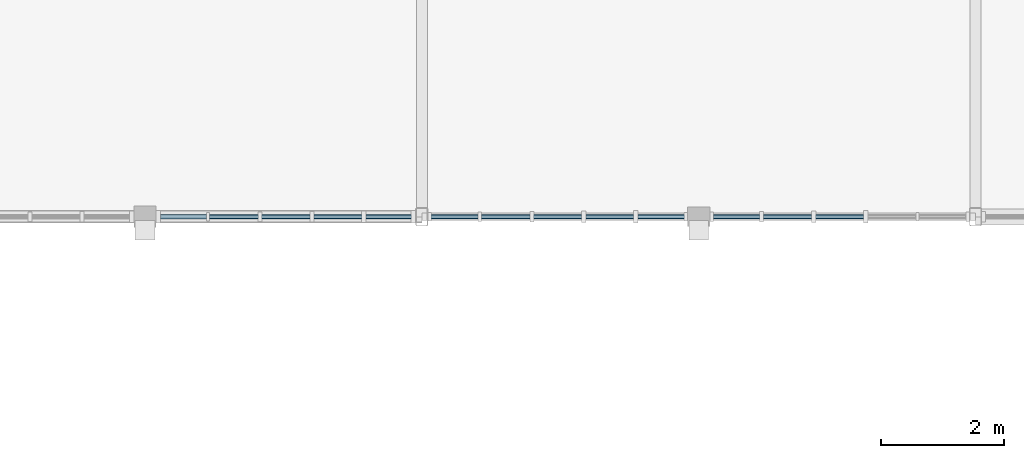
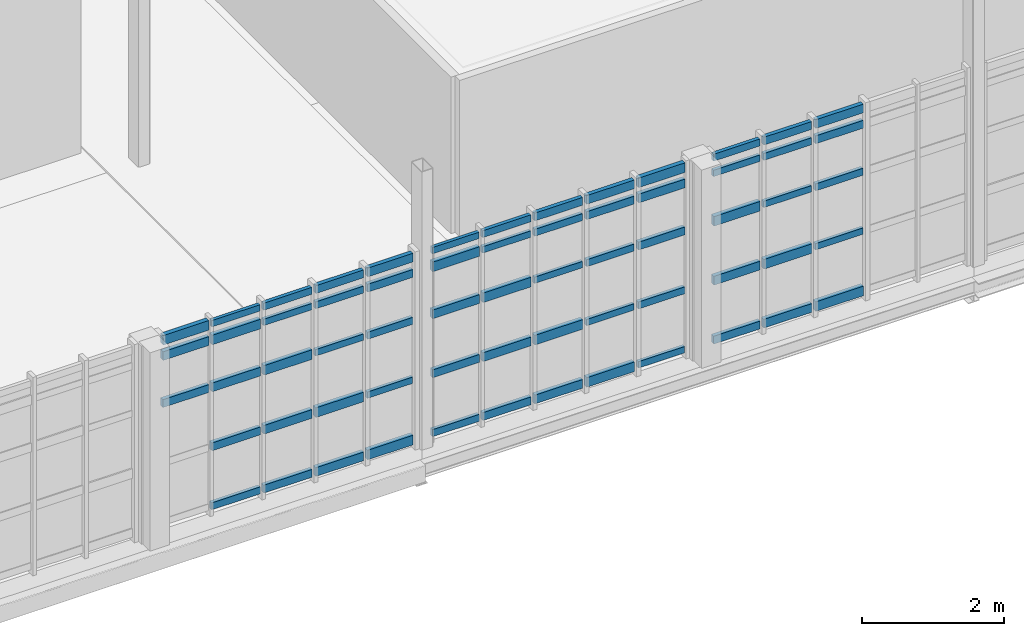
# One storey, part 70 of 128: 63 members, 3 elements without a shape of their own.
"""IFC4 building model written with IfcOpenShell, lengths in metres."""

from ifc_helpers import new_model, si_unit, direction, frame, origin, origin_2d, place, context, subcontext, project, spatial, rectangle, extrude, material, material_profile, profile_set, type_object, element, aggregate, save


model = new_model("IFC4")

# Units and contexts
model_context = context("Model", 3, precision=1e-05, world=origin(), true_north=direction((0.0, 1.0)))
body_context = subcontext(model_context, "Body", "Model", "MODEL_VIEW")
ifc_project = project(units=[si_unit("LENGTHUNIT", "METRE"), si_unit("AREAUNIT", "SQUARE_METRE"), si_unit("VOLUMEUNIT", "CUBIC_METRE"), si_unit("PLANEANGLEUNIT", "RADIAN"), si_unit("MASSUNIT", "GRAM", prefix="KILO")], contexts=[model_context])

# Site, building, storey
site_placement = place(None, origin())
site = spatial("IfcSite", under=ifc_project, at=site_placement, CompositionType="ELEMENT")
building_placement = place(site_placement, origin())
building = spatial("IfcBuilding", under=site, at=building_placement, Name="Serraforn Aerial Cableway Station", CompositionType="ELEMENT")
storey_placement = place(building_placement, frame((0.0, 0.0, 9.0)))
storey = spatial("IfcBuildingStorey", under=building, at=storey_placement, Name="L02", CompositionType="ELEMENT", Elevation=9.0)

# Curtain wall, members
ifc_material_1 = material(Name="Anodised bronze unitised curtain wall")
curtain_wall_type_1 = type_object("IfcCurtainWallType", Name="CW-SYS-24", PredefinedType="USERDEFINED", material=ifc_material_1)
curtain_wall_1_placement = place(storey_placement, origin())
curtain_wall_1 = element("IfcCurtainWall", 1, at=curtain_wall_1_placement, inside=storey, type_object=curtain_wall_type_1, Name="Unitised Curtain Wall CW-EL-L02-S1B", ObjectType="UNITISED CURTAIN WALL", PredefinedType="USERDEFINED")
ifc_material_2 = material(Name="Anodised bronze extruded aluminium", Category="aluminium")
ifc_material_profile_1 = material_profile(ifc_material_2, rectangle(XDim=0.054931640625, YDim=0.110107421875, at=origin_2d()), Name="CW TRANSOM 55x110")
ifc_profile_set_1 = profile_set([ifc_material_profile_1], Name="Anodised bronze extruded aluminium")
member_type_1 = type_object("IfcMemberType", Name="CW-TRN-1", PredefinedType="USERDEFINED", material=ifc_profile_set_1)
member_1_placement = place(storey_placement, frame((99.75, 26.0, 3.283203125), z_axis=(1.0, 0.0, 0.0), x_axis=(0.0, 1.0, 0.0)))
member_1 = element("IfcMember", 2, at=member_1_placement, type_object=member_type_1, Name="Curtain Wall Transom CW-EL-L02-S1B-T2-5", ObjectType="TRANSOM", PredefinedType="USERDEFINED", context=body_context, shape_type="SweptSolid", body=[
    extrude(rectangle(XDim=0.054931640625, YDim=0.110107421875, at=origin_2d()), origin(), (0.0, 0.0, 1.0), 0.790771484375),
])
member_2_placement = place(storey_placement, frame((100.5966796875, 26.0, 3.009521484375), z_axis=(1.0, 0.0, 0.0), x_axis=(0.0, 1.0, 0.0)))
member_2 = element("IfcMember", 3, at=member_2_placement, type_object=member_type_1, Name="Curtain Wall Transom CW-EL-L02-S1B-T3-4", ObjectType="TRANSOM", PredefinedType="USERDEFINED", context=body_context, shape_type="SweptSolid", body=[
    extrude(rectangle(XDim=0.054931640625, YDim=0.110107421875, at=origin_2d()), origin(), (0.0, 0.0, 1.0), 0.7861328125),
])
member_3_placement = place(storey_placement, frame((101.443603515625, 26.0, 2.188720703125), z_axis=(1.0, 0.0, 0.0), x_axis=(0.0, 1.0, 0.0)))
member_3 = element("IfcMember", 4, at=member_3_placement, type_object=member_type_1, Name="Curtain Wall Transom CW-EL-L02-S1B-T4-3", ObjectType="TRANSOM", PredefinedType="USERDEFINED", context=body_context, shape_type="SweptSolid", body=[
    extrude(rectangle(XDim=0.054931640625, YDim=0.110107421875, at=origin_2d()), origin(), (0.0, 0.0, 1.0), 0.781005859375),
])
member_4_placement = place(storey_placement, frame((102.29052734375, 26.0, 1.162841796875), z_axis=(1.0, 0.0, 0.0), x_axis=(0.0, 1.0, 0.0)))
member_4 = element("IfcMember", 5, at=member_4_placement, type_object=member_type_1, Name="Curtain Wall Transom CW-EL-L02-S1B-T5-2", ObjectType="TRANSOM", PredefinedType="USERDEFINED", context=body_context, shape_type="SweptSolid", body=[
    extrude(rectangle(XDim=0.054931640625, YDim=0.110107421875, at=origin_2d()), origin(), (0.0, 0.0, 1.0), 0.738525390625),
])

curtain_wall_type_2 = type_object("IfcCurtainWallType", Name="CW-SYS-25", PredefinedType="USERDEFINED", material=ifc_material_1)
curtain_wall_2_placement = place(storey_placement, origin())
curtain_wall_2 = element("IfcCurtainWall", 6, at=curtain_wall_2_placement, inside=storey, type_object=curtain_wall_type_2, Name="Unitised Curtain Wall CW-EL-L02-S2A", ObjectType="UNITISED CURTAIN WALL", PredefinedType="USERDEFINED")
member_5_placement = place(storey_placement, frame((103.35107421875, 26.0, 3.283203125), z_axis=(1.0, 0.0, 0.0), x_axis=(0.0, 1.0, 0.0)))
member_5 = element("IfcMember", 7, at=member_5_placement, type_object=member_type_1, Name="Curtain Wall Transom CW-EL-L02-S2A-T1-5", ObjectType="TRANSOM", PredefinedType="USERDEFINED", context=body_context, shape_type="SweptSolid", body=[
    extrude(rectangle(XDim=0.054931640625, YDim=0.110107421875, at=origin_2d()), origin(), (0.0, 0.0, 1.0), 0.763427734375),
])
member_6_placement = place(storey_placement, frame((104.17041015625, 26.0, 3.009521484375), z_axis=(1.0, 0.0, 0.0), x_axis=(0.0, 1.0, 0.0)))
member_6 = element("IfcMember", 8, at=member_6_placement, type_object=member_type_1, Name="Curtain Wall Transom CW-EL-L02-S2A-T2-4", ObjectType="TRANSOM", PredefinedType="USERDEFINED", context=body_context, shape_type="SweptSolid", body=[
    extrude(rectangle(XDim=0.054931640625, YDim=0.110107421875, at=origin_2d()), origin(), (0.0, 0.0, 1.0), 0.785888671875),
])
member_7_placement = place(storey_placement, frame((105.017333984375, 26.0, 2.188720703125), z_axis=(1.0, 0.0, 0.0), x_axis=(0.0, 1.0, 0.0)))
member_7 = element("IfcMember", 9, at=member_7_placement, type_object=member_type_1, Name="Curtain Wall Transom CW-EL-L02-S2A-T3-3", ObjectType="TRANSOM", PredefinedType="USERDEFINED", context=body_context, shape_type="SweptSolid", body=[
    extrude(rectangle(XDim=0.054931640625, YDim=0.110107421875, at=origin_2d()), origin(), (0.0, 0.0, 1.0), 0.78076171875),
])
member_8_placement = place(storey_placement, frame((105.8642578125, 26.0, 1.162841796875), z_axis=(1.0, 0.0, 0.0), x_axis=(0.0, 1.0, 0.0)))
member_8 = element("IfcMember", 10, at=member_8_placement, type_object=member_type_1, Name="Curtain Wall Transom CW-EL-L02-S2A-T4-2", ObjectType="TRANSOM", PredefinedType="USERDEFINED", context=body_context, shape_type="SweptSolid", body=[
    extrude(rectangle(XDim=0.054931640625, YDim=0.110107421875, at=origin_2d()), origin(), (0.0, 0.0, 1.0), 0.77587890625),
])
member_9_placement = place(storey_placement, frame((106.711181640625, 26.0, 0.13671875), z_axis=(1.0, 0.0, 0.0), x_axis=(0.0, 1.0, 0.0)))
member_9 = element("IfcMember", 11, at=member_9_placement, type_object=member_type_1, Name="Curtain Wall Transom CW-EL-L02-S2A-T5-1", ObjectType="TRANSOM", PredefinedType="USERDEFINED", context=body_context, shape_type="SweptSolid", body=[
    extrude(rectangle(XDim=0.054931640625, YDim=0.110107421875, at=origin_2d()), origin(), (0.0, 0.0, 1.0), 0.755859375),
])

curtain_wall_type_3 = type_object("IfcCurtainWallType", Name="CW-SYS-26", PredefinedType="USERDEFINED", material=ifc_material_1)
curtain_wall_3_placement = place(storey_placement, origin())
curtain_wall_3 = element("IfcCurtainWall", 12, at=curtain_wall_3_placement, inside=storey, type_object=curtain_wall_type_3, Name="Unitised Curtain Wall CW-EL-L02-S2B", ObjectType="UNITISED CURTAIN WALL", PredefinedType="USERDEFINED")
member_10_placement = place(storey_placement, frame((107.93798828125, 26.0, 3.009521484375), z_axis=(1.0, 0.0, 0.0), x_axis=(0.0, 1.0, 0.0)))
member_10 = element("IfcMember", 13, at=member_10_placement, type_object=member_type_1, Name="Curtain Wall Transom CW-EL-L02-S2B-T1-4", ObjectType="TRANSOM", PredefinedType="USERDEFINED", context=body_context, shape_type="SweptSolid", body=[
    extrude(rectangle(XDim=0.054931640625, YDim=0.110107421875, at=origin_2d()), origin(), (0.0, 0.0, 1.0), 0.755859375),
])
member_11_placement = place(storey_placement, frame((108.7548828125, 26.0, 2.188720703125), z_axis=(1.0, 0.0, 0.0), x_axis=(0.0, 1.0, 0.0)))
member_11 = element("IfcMember", 14, at=member_11_placement, type_object=member_type_1, Name="Curtain Wall Transom CW-EL-L02-S2B-T2-3", ObjectType="TRANSOM", PredefinedType="USERDEFINED", context=body_context, shape_type="SweptSolid", body=[
    extrude(rectangle(XDim=0.054931640625, YDim=0.110107421875, at=origin_2d()), origin(), (0.0, 0.0, 1.0), 0.781005859375),
])
member_12_placement = place(storey_placement, frame((109.601806640625, 26.0, 1.162841796875), z_axis=(1.0, 0.0, 0.0), x_axis=(0.0, 1.0, 0.0)))
member_12 = element("IfcMember", 15, at=member_12_placement, type_object=member_type_1, Name="Curtain Wall Transom CW-EL-L02-S2B-T3-2", ObjectType="TRANSOM", PredefinedType="USERDEFINED", context=body_context, shape_type="SweptSolid", body=[
    extrude(rectangle(XDim=0.054931640625, YDim=0.110107421875, at=origin_2d()), origin(), (0.0, 0.0, 1.0), 0.77587890625),
])

# Member
ifc_material_profile_2 = material_profile(ifc_material_2, rectangle(XDim=0.06005859375, YDim=0.1201171875, at=origin_2d()), Name="CW TRANSOM 60x120")
ifc_profile_set_2 = profile_set([ifc_material_profile_2], Name="Anodised bronze extruded aluminium")
member_type_2 = type_object("IfcMemberType", Name="CW-TRN-2", PredefinedType="USERDEFINED", material=ifc_profile_set_2)
member_13_placement = place(storey_placement, frame((99.75, 26.0, 0.13671875), z_axis=(1.0, 0.0, 0.0), x_axis=(0.0, 1.0, 0.0)))
member_13 = element("IfcMember", 16, at=member_13_placement, type_object=member_type_2, Name="Curtain Wall Transom CW-EL-L02-S1B-T2-1", ObjectType="TRANSOM", PredefinedType="USERDEFINED", context=body_context, shape_type="SweptSolid", body=[
    extrude(rectangle(XDim=0.06005859375, YDim=0.1201171875, at=origin_2d()), origin(), (0.0, 0.0, 1.0), 0.790771484375),
])

member_14_placement = place(storey_placement, frame((100.5966796875, 26.0, 3.283203125), z_axis=(1.0, 0.0, 0.0), x_axis=(0.0, 1.0, 0.0)))
member_14 = element("IfcMember", 17, at=member_14_placement, type_object=member_type_2, Name="Curtain Wall Transom CW-EL-L02-S1B-T3-5", ObjectType="TRANSOM", PredefinedType="USERDEFINED", context=body_context, shape_type="SweptSolid", body=[
    extrude(rectangle(XDim=0.06005859375, YDim=0.1201171875, at=origin_2d()), origin(), (0.0, 0.0, 1.0), 0.7861328125),
])

member_15_placement = place(storey_placement, frame((101.443603515625, 26.0, 3.009521484375), z_axis=(1.0, 0.0, 0.0), x_axis=(0.0, 1.0, 0.0)))
member_15 = element("IfcMember", 18, at=member_15_placement, type_object=member_type_2, Name="Curtain Wall Transom CW-EL-L02-S1B-T4-4", ObjectType="TRANSOM", PredefinedType="USERDEFINED", context=body_context, shape_type="SweptSolid", body=[
    extrude(rectangle(XDim=0.06005859375, YDim=0.1201171875, at=origin_2d()), origin(), (0.0, 0.0, 1.0), 0.781005859375),
])

member_16_placement = place(storey_placement, frame((102.29052734375, 26.0, 2.188720703125), z_axis=(1.0, 0.0, 0.0), x_axis=(0.0, 1.0, 0.0)))
member_16 = element("IfcMember", 19, at=member_16_placement, type_object=member_type_2, Name="Curtain Wall Transom CW-EL-L02-S1B-T5-3", ObjectType="TRANSOM", PredefinedType="USERDEFINED", context=body_context, shape_type="SweptSolid", body=[
    extrude(rectangle(XDim=0.06005859375, YDim=0.1201171875, at=origin_2d()), origin(), (0.0, 0.0, 1.0), 0.738525390625),
])

member_17_placement = place(storey_placement, frame((103.35107421875, 26.0, 0.13671875), z_axis=(1.0, 0.0, 0.0), x_axis=(0.0, 1.0, 0.0)))
member_17 = element("IfcMember", 20, at=member_17_placement, type_object=member_type_2, Name="Curtain Wall Transom CW-EL-L02-S2A-T1-1", ObjectType="TRANSOM", PredefinedType="USERDEFINED", context=body_context, shape_type="SweptSolid", body=[
    extrude(rectangle(XDim=0.06005859375, YDim=0.1201171875, at=origin_2d()), origin(), (0.0, 0.0, 1.0), 0.763427734375),
])

member_18_placement = place(storey_placement, frame((104.17041015625, 26.0, 3.283203125), z_axis=(1.0, 0.0, 0.0), x_axis=(0.0, 1.0, 0.0)))
member_18 = element("IfcMember", 21, at=member_18_placement, type_object=member_type_2, Name="Curtain Wall Transom CW-EL-L02-S2A-T2-5", ObjectType="TRANSOM", PredefinedType="USERDEFINED", context=body_context, shape_type="SweptSolid", body=[
    extrude(rectangle(XDim=0.06005859375, YDim=0.1201171875, at=origin_2d()), origin(), (0.0, 0.0, 1.0), 0.785888671875),
])

member_19_placement = place(storey_placement, frame((105.017333984375, 26.0, 3.009521484375), z_axis=(1.0, 0.0, 0.0), x_axis=(0.0, 1.0, 0.0)))
member_19 = element("IfcMember", 22, at=member_19_placement, type_object=member_type_2, Name="Curtain Wall Transom CW-EL-L02-S2A-T3-4", ObjectType="TRANSOM", PredefinedType="USERDEFINED", context=body_context, shape_type="SweptSolid", body=[
    extrude(rectangle(XDim=0.06005859375, YDim=0.1201171875, at=origin_2d()), origin(), (0.0, 0.0, 1.0), 0.78076171875),
])

member_20_placement = place(storey_placement, frame((105.8642578125, 26.0, 2.188720703125), z_axis=(1.0, 0.0, 0.0), x_axis=(0.0, 1.0, 0.0)))
member_20 = element("IfcMember", 23, at=member_20_placement, type_object=member_type_2, Name="Curtain Wall Transom CW-EL-L02-S2A-T4-3", ObjectType="TRANSOM", PredefinedType="USERDEFINED", context=body_context, shape_type="SweptSolid", body=[
    extrude(rectangle(XDim=0.06005859375, YDim=0.1201171875, at=origin_2d()), origin(), (0.0, 0.0, 1.0), 0.77587890625),
])

member_21_placement = place(storey_placement, frame((106.711181640625, 26.0, 1.162841796875), z_axis=(1.0, 0.0, 0.0), x_axis=(0.0, 1.0, 0.0)))
member_21 = element("IfcMember", 24, at=member_21_placement, type_object=member_type_2, Name="Curtain Wall Transom CW-EL-L02-S2A-T5-2", ObjectType="TRANSOM", PredefinedType="USERDEFINED", context=body_context, shape_type="SweptSolid", body=[
    extrude(rectangle(XDim=0.06005859375, YDim=0.1201171875, at=origin_2d()), origin(), (0.0, 0.0, 1.0), 0.755859375),
])

member_22_placement = place(storey_placement, frame((107.93798828125, 26.0, 3.283203125), z_axis=(1.0, 0.0, 0.0), x_axis=(0.0, 1.0, 0.0)))
member_22 = element("IfcMember", 25, at=member_22_placement, type_object=member_type_2, Name="Curtain Wall Transom CW-EL-L02-S2B-T1-5", ObjectType="TRANSOM", PredefinedType="USERDEFINED", context=body_context, shape_type="SweptSolid", body=[
    extrude(rectangle(XDim=0.06005859375, YDim=0.1201171875, at=origin_2d()), origin(), (0.0, 0.0, 1.0), 0.755859375),
])

member_23_placement = place(storey_placement, frame((108.7548828125, 26.0, 3.009521484375), z_axis=(1.0, 0.0, 0.0), x_axis=(0.0, 1.0, 0.0)))
member_23 = element("IfcMember", 26, at=member_23_placement, type_object=member_type_2, Name="Curtain Wall Transom CW-EL-L02-S2B-T2-4", ObjectType="TRANSOM", PredefinedType="USERDEFINED", context=body_context, shape_type="SweptSolid", body=[
    extrude(rectangle(XDim=0.06005859375, YDim=0.1201171875, at=origin_2d()), origin(), (0.0, 0.0, 1.0), 0.781005859375),
])

member_24_placement = place(storey_placement, frame((109.601806640625, 26.0, 2.188720703125), z_axis=(1.0, 0.0, 0.0), x_axis=(0.0, 1.0, 0.0)))
member_24 = element("IfcMember", 27, at=member_24_placement, type_object=member_type_2, Name="Curtain Wall Transom CW-EL-L02-S2B-T3-3", ObjectType="TRANSOM", PredefinedType="USERDEFINED", context=body_context, shape_type="SweptSolid", body=[
    extrude(rectangle(XDim=0.06005859375, YDim=0.1201171875, at=origin_2d()), origin(), (0.0, 0.0, 1.0), 0.77587890625),
])

ifc_material_profile_3 = material_profile(ifc_material_2, rectangle(XDim=0.06494140625, YDim=0.135009765625, at=origin_2d()), Name="CW TRANSOM 65x135")
ifc_profile_set_3 = profile_set([ifc_material_profile_3], Name="Anodised bronze extruded aluminium")
member_type_3 = type_object("IfcMemberType", Name="CW-TRN-3", PredefinedType="USERDEFINED", material=ifc_profile_set_3)
member_25_placement = place(storey_placement, frame((98.952880859375, 26.0, 2.188720703125), z_axis=(1.0, 0.0, 0.0), x_axis=(0.0, 1.0, 0.0)))
member_25 = element("IfcMember", 28, at=member_25_placement, type_object=member_type_3, Name="Curtain Wall Transom CW-EL-L02-S1B-T1-3", ObjectType="TRANSOM", PredefinedType="USERDEFINED", context=body_context, shape_type="SweptSolid", body=[
    extrude(rectangle(XDim=0.06494140625, YDim=0.135009765625, at=origin_2d()), origin(), (0.0, 0.0, 1.0), 0.74609375),
])

member_26_placement = place(storey_placement, frame((99.75, 26.0, 1.162841796875), z_axis=(1.0, 0.0, 0.0), x_axis=(0.0, 1.0, 0.0)))
member_26 = element("IfcMember", 29, at=member_26_placement, type_object=member_type_3, Name="Curtain Wall Transom CW-EL-L02-S1B-T2-2", ObjectType="TRANSOM", PredefinedType="USERDEFINED", context=body_context, shape_type="SweptSolid", body=[
    extrude(rectangle(XDim=0.06494140625, YDim=0.135009765625, at=origin_2d()), origin(), (0.0, 0.0, 1.0), 0.790771484375),
])

member_27_placement = place(storey_placement, frame((100.5966796875, 26.0, 0.13671875), z_axis=(1.0, 0.0, 0.0), x_axis=(0.0, 1.0, 0.0)))
member_27 = element("IfcMember", 30, at=member_27_placement, type_object=member_type_3, Name="Curtain Wall Transom CW-EL-L02-S1B-T3-1", ObjectType="TRANSOM", PredefinedType="USERDEFINED", context=body_context, shape_type="SweptSolid", body=[
    extrude(rectangle(XDim=0.06494140625, YDim=0.135009765625, at=origin_2d()), origin(), (0.0, 0.0, 1.0), 0.7861328125),
])

member_28_placement = place(storey_placement, frame((101.443603515625, 26.0, 3.283203125), z_axis=(1.0, 0.0, 0.0), x_axis=(0.0, 1.0, 0.0)))
member_28 = element("IfcMember", 31, at=member_28_placement, type_object=member_type_3, Name="Curtain Wall Transom CW-EL-L02-S1B-T4-5", ObjectType="TRANSOM", PredefinedType="USERDEFINED", context=body_context, shape_type="SweptSolid", body=[
    extrude(rectangle(XDim=0.06494140625, YDim=0.135009765625, at=origin_2d()), origin(), (0.0, 0.0, 1.0), 0.781005859375),
])

member_29_placement = place(storey_placement, frame((102.29052734375, 26.0, 3.009521484375), z_axis=(1.0, 0.0, 0.0), x_axis=(0.0, 1.0, 0.0)))
member_29 = element("IfcMember", 32, at=member_29_placement, type_object=member_type_3, Name="Curtain Wall Transom CW-EL-L02-S1B-T5-4", ObjectType="TRANSOM", PredefinedType="USERDEFINED", context=body_context, shape_type="SweptSolid", body=[
    extrude(rectangle(XDim=0.06494140625, YDim=0.135009765625, at=origin_2d()), origin(), (0.0, 0.0, 1.0), 0.738525390625),
])

member_30_placement = place(storey_placement, frame((103.35107421875, 26.0, 1.162841796875), z_axis=(1.0, 0.0, 0.0), x_axis=(0.0, 1.0, 0.0)))
member_30 = element("IfcMember", 33, at=member_30_placement, type_object=member_type_3, Name="Curtain Wall Transom CW-EL-L02-S2A-T1-2", ObjectType="TRANSOM", PredefinedType="USERDEFINED", context=body_context, shape_type="SweptSolid", body=[
    extrude(rectangle(XDim=0.06494140625, YDim=0.135009765625, at=origin_2d()), origin(), (0.0, 0.0, 1.0), 0.763427734375),
])

member_31_placement = place(storey_placement, frame((104.17041015625, 26.0, 0.13671875), z_axis=(1.0, 0.0, 0.0), x_axis=(0.0, 1.0, 0.0)))
member_31 = element("IfcMember", 34, at=member_31_placement, type_object=member_type_3, Name="Curtain Wall Transom CW-EL-L02-S2A-T2-1", ObjectType="TRANSOM", PredefinedType="USERDEFINED", context=body_context, shape_type="SweptSolid", body=[
    extrude(rectangle(XDim=0.06494140625, YDim=0.135009765625, at=origin_2d()), origin(), (0.0, 0.0, 1.0), 0.785888671875),
])

member_32_placement = place(storey_placement, frame((105.017333984375, 26.0, 3.283203125), z_axis=(1.0, 0.0, 0.0), x_axis=(0.0, 1.0, 0.0)))
member_32 = element("IfcMember", 35, at=member_32_placement, type_object=member_type_3, Name="Curtain Wall Transom CW-EL-L02-S2A-T3-5", ObjectType="TRANSOM", PredefinedType="USERDEFINED", context=body_context, shape_type="SweptSolid", body=[
    extrude(rectangle(XDim=0.06494140625, YDim=0.135009765625, at=origin_2d()), origin(), (0.0, 0.0, 1.0), 0.78076171875),
])

member_33_placement = place(storey_placement, frame((105.8642578125, 26.0, 3.009521484375), z_axis=(1.0, 0.0, 0.0), x_axis=(0.0, 1.0, 0.0)))
member_33 = element("IfcMember", 36, at=member_33_placement, type_object=member_type_3, Name="Curtain Wall Transom CW-EL-L02-S2A-T4-4", ObjectType="TRANSOM", PredefinedType="USERDEFINED", context=body_context, shape_type="SweptSolid", body=[
    extrude(rectangle(XDim=0.06494140625, YDim=0.135009765625, at=origin_2d()), origin(), (0.0, 0.0, 1.0), 0.77587890625),
])

member_34_placement = place(storey_placement, frame((106.711181640625, 26.0, 2.188720703125), z_axis=(1.0, 0.0, 0.0), x_axis=(0.0, 1.0, 0.0)))
member_34 = element("IfcMember", 37, at=member_34_placement, type_object=member_type_3, Name="Curtain Wall Transom CW-EL-L02-S2A-T5-3", ObjectType="TRANSOM", PredefinedType="USERDEFINED", context=body_context, shape_type="SweptSolid", body=[
    extrude(rectangle(XDim=0.06494140625, YDim=0.135009765625, at=origin_2d()), origin(), (0.0, 0.0, 1.0), 0.755859375),
])

member_35_placement = place(storey_placement, frame((107.93798828125, 26.0, 0.13671875), z_axis=(1.0, 0.0, 0.0), x_axis=(0.0, 1.0, 0.0)))
member_35 = element("IfcMember", 38, at=member_35_placement, type_object=member_type_3, Name="Curtain Wall Transom CW-EL-L02-S2B-T1-1", ObjectType="TRANSOM", PredefinedType="USERDEFINED", context=body_context, shape_type="SweptSolid", body=[
    extrude(rectangle(XDim=0.06494140625, YDim=0.135009765625, at=origin_2d()), origin(), (0.0, 0.0, 1.0), 0.755859375),
])

member_36_placement = place(storey_placement, frame((108.7548828125, 26.0, 3.283203125), z_axis=(1.0, 0.0, 0.0), x_axis=(0.0, 1.0, 0.0)))
member_36 = element("IfcMember", 39, at=member_36_placement, type_object=member_type_3, Name="Curtain Wall Transom CW-EL-L02-S2B-T2-5", ObjectType="TRANSOM", PredefinedType="USERDEFINED", context=body_context, shape_type="SweptSolid", body=[
    extrude(rectangle(XDim=0.06494140625, YDim=0.135009765625, at=origin_2d()), origin(), (0.0, 0.0, 1.0), 0.781005859375),
])

member_37_placement = place(storey_placement, frame((109.601806640625, 26.0, 3.009521484375), z_axis=(1.0, 0.0, 0.0), x_axis=(0.0, 1.0, 0.0)))
member_37 = element("IfcMember", 40, at=member_37_placement, type_object=member_type_3, Name="Curtain Wall Transom CW-EL-L02-S2B-T3-4", ObjectType="TRANSOM", PredefinedType="USERDEFINED", context=body_context, shape_type="SweptSolid", body=[
    extrude(rectangle(XDim=0.06494140625, YDim=0.135009765625, at=origin_2d()), origin(), (0.0, 0.0, 1.0), 0.77587890625),
])

ifc_material_profile_4 = material_profile(ifc_material_2, rectangle(XDim=0.070068359375, YDim=0.14990234375, at=origin_2d()), Name="CW TRANSOM 70x150")
ifc_profile_set_4 = profile_set([ifc_material_profile_4], Name="Anodised bronze extruded aluminium")
member_type_4 = type_object("IfcMemberType", Name="CW-TRN-4", PredefinedType="USERDEFINED", material=ifc_profile_set_4)
member_38_placement = place(storey_placement, frame((98.952880859375, 26.0, 3.009521484375), z_axis=(1.0, 0.0, 0.0), x_axis=(0.0, 1.0, 0.0)))
member_38 = element("IfcMember", 41, at=member_38_placement, type_object=member_type_4, Name="Curtain Wall Transom CW-EL-L02-S1B-T1-4", ObjectType="TRANSOM", PredefinedType="USERDEFINED", context=body_context, shape_type="SweptSolid", body=[
    extrude(rectangle(XDim=0.070068359375, YDim=0.14990234375, at=origin_2d()), origin(), (0.0, 0.0, 1.0), 0.74609375),
])

member_39_placement = place(storey_placement, frame((99.75, 26.0, 2.188720703125), z_axis=(1.0, 0.0, 0.0), x_axis=(0.0, 1.0, 0.0)))
member_39 = element("IfcMember", 42, at=member_39_placement, type_object=member_type_4, Name="Curtain Wall Transom CW-EL-L02-S1B-T2-3", ObjectType="TRANSOM", PredefinedType="USERDEFINED", context=body_context, shape_type="SweptSolid", body=[
    extrude(rectangle(XDim=0.070068359375, YDim=0.14990234375, at=origin_2d()), origin(), (0.0, 0.0, 1.0), 0.790771484375),
])

member_40_placement = place(storey_placement, frame((100.5966796875, 26.0, 1.162841796875), z_axis=(1.0, 0.0, 0.0), x_axis=(0.0, 1.0, 0.0)))
member_40 = element("IfcMember", 43, at=member_40_placement, type_object=member_type_4, Name="Curtain Wall Transom CW-EL-L02-S1B-T3-2", ObjectType="TRANSOM", PredefinedType="USERDEFINED", context=body_context, shape_type="SweptSolid", body=[
    extrude(rectangle(XDim=0.070068359375, YDim=0.14990234375, at=origin_2d()), origin(), (0.0, 0.0, 1.0), 0.7861328125),
])

member_41_placement = place(storey_placement, frame((101.443603515625, 26.0, 0.13671875), z_axis=(1.0, 0.0, 0.0), x_axis=(0.0, 1.0, 0.0)))
member_41 = element("IfcMember", 44, at=member_41_placement, type_object=member_type_4, Name="Curtain Wall Transom CW-EL-L02-S1B-T4-1", ObjectType="TRANSOM", PredefinedType="USERDEFINED", context=body_context, shape_type="SweptSolid", body=[
    extrude(rectangle(XDim=0.070068359375, YDim=0.14990234375, at=origin_2d()), origin(), (0.0, 0.0, 1.0), 0.781005859375),
])

member_42_placement = place(storey_placement, frame((102.29052734375, 26.0, 3.283203125), z_axis=(1.0, 0.0, 0.0), x_axis=(0.0, 1.0, 0.0)))
member_42 = element("IfcMember", 45, at=member_42_placement, type_object=member_type_4, Name="Curtain Wall Transom CW-EL-L02-S1B-T5-5", ObjectType="TRANSOM", PredefinedType="USERDEFINED", context=body_context, shape_type="SweptSolid", body=[
    extrude(rectangle(XDim=0.070068359375, YDim=0.14990234375, at=origin_2d()), origin(), (0.0, 0.0, 1.0), 0.738525390625),
])

member_43_placement = place(storey_placement, frame((103.35107421875, 26.0, 2.188720703125), z_axis=(1.0, 0.0, 0.0), x_axis=(0.0, 1.0, 0.0)))
member_43 = element("IfcMember", 46, at=member_43_placement, type_object=member_type_4, Name="Curtain Wall Transom CW-EL-L02-S2A-T1-3", ObjectType="TRANSOM", PredefinedType="USERDEFINED", context=body_context, shape_type="SweptSolid", body=[
    extrude(rectangle(XDim=0.070068359375, YDim=0.14990234375, at=origin_2d()), origin(), (0.0, 0.0, 1.0), 0.763427734375),
])

member_44_placement = place(storey_placement, frame((104.17041015625, 26.0, 1.162841796875), z_axis=(1.0, 0.0, 0.0), x_axis=(0.0, 1.0, 0.0)))
member_44 = element("IfcMember", 47, at=member_44_placement, type_object=member_type_4, Name="Curtain Wall Transom CW-EL-L02-S2A-T2-2", ObjectType="TRANSOM", PredefinedType="USERDEFINED", context=body_context, shape_type="SweptSolid", body=[
    extrude(rectangle(XDim=0.070068359375, YDim=0.14990234375, at=origin_2d()), origin(), (0.0, 0.0, 1.0), 0.785888671875),
])

member_45_placement = place(storey_placement, frame((105.017333984375, 26.0, 0.13671875), z_axis=(1.0, 0.0, 0.0), x_axis=(0.0, 1.0, 0.0)))
member_45 = element("IfcMember", 48, at=member_45_placement, type_object=member_type_4, Name="Curtain Wall Transom CW-EL-L02-S2A-T3-1", ObjectType="TRANSOM", PredefinedType="USERDEFINED", context=body_context, shape_type="SweptSolid", body=[
    extrude(rectangle(XDim=0.070068359375, YDim=0.14990234375, at=origin_2d()), origin(), (0.0, 0.0, 1.0), 0.78076171875),
])

member_46_placement = place(storey_placement, frame((105.8642578125, 26.0, 3.283203125), z_axis=(1.0, 0.0, 0.0), x_axis=(0.0, 1.0, 0.0)))
member_46 = element("IfcMember", 49, at=member_46_placement, type_object=member_type_4, Name="Curtain Wall Transom CW-EL-L02-S2A-T4-5", ObjectType="TRANSOM", PredefinedType="USERDEFINED", context=body_context, shape_type="SweptSolid", body=[
    extrude(rectangle(XDim=0.070068359375, YDim=0.14990234375, at=origin_2d()), origin(), (0.0, 0.0, 1.0), 0.77587890625),
])

member_47_placement = place(storey_placement, frame((106.711181640625, 26.0, 3.009521484375), z_axis=(1.0, 0.0, 0.0), x_axis=(0.0, 1.0, 0.0)))
member_47 = element("IfcMember", 50, at=member_47_placement, type_object=member_type_4, Name="Curtain Wall Transom CW-EL-L02-S2A-T5-4", ObjectType="TRANSOM", PredefinedType="USERDEFINED", context=body_context, shape_type="SweptSolid", body=[
    extrude(rectangle(XDim=0.070068359375, YDim=0.14990234375, at=origin_2d()), origin(), (0.0, 0.0, 1.0), 0.755859375),
])

member_48_placement = place(storey_placement, frame((107.93798828125, 26.0, 1.162841796875), z_axis=(1.0, 0.0, 0.0), x_axis=(0.0, 1.0, 0.0)))
member_48 = element("IfcMember", 51, at=member_48_placement, type_object=member_type_4, Name="Curtain Wall Transom CW-EL-L02-S2B-T1-2", ObjectType="TRANSOM", PredefinedType="USERDEFINED", context=body_context, shape_type="SweptSolid", body=[
    extrude(rectangle(XDim=0.070068359375, YDim=0.14990234375, at=origin_2d()), origin(), (0.0, 0.0, 1.0), 0.755859375),
])

member_49_placement = place(storey_placement, frame((108.7548828125, 26.0, 0.13671875), z_axis=(1.0, 0.0, 0.0), x_axis=(0.0, 1.0, 0.0)))
member_49 = element("IfcMember", 52, at=member_49_placement, type_object=member_type_4, Name="Curtain Wall Transom CW-EL-L02-S2B-T2-1", ObjectType="TRANSOM", PredefinedType="USERDEFINED", context=body_context, shape_type="SweptSolid", body=[
    extrude(rectangle(XDim=0.070068359375, YDim=0.14990234375, at=origin_2d()), origin(), (0.0, 0.0, 1.0), 0.781005859375),
])

member_50_placement = place(storey_placement, frame((109.601806640625, 26.0, 3.283203125), z_axis=(1.0, 0.0, 0.0), x_axis=(0.0, 1.0, 0.0)))
member_50 = element("IfcMember", 53, at=member_50_placement, type_object=member_type_4, Name="Curtain Wall Transom CW-EL-L02-S2B-T3-5", ObjectType="TRANSOM", PredefinedType="USERDEFINED", context=body_context, shape_type="SweptSolid", body=[
    extrude(rectangle(XDim=0.070068359375, YDim=0.14990234375, at=origin_2d()), origin(), (0.0, 0.0, 1.0), 0.77587890625),
])

ifc_material_profile_5 = material_profile(ifc_material_2, rectangle(XDim=0.074951171875, YDim=0.1650390625, at=origin_2d()), Name="CW TRANSOM 75x165")
ifc_profile_set_5 = profile_set([ifc_material_profile_5], Name="Anodised bronze extruded aluminium")
member_type_5 = type_object("IfcMemberType", Name="CW-TRN-5", PredefinedType="USERDEFINED", material=ifc_profile_set_5)
member_51_placement = place(storey_placement, frame((98.952880859375, 26.0, 3.283203125), z_axis=(1.0, 0.0, 0.0), x_axis=(0.0, 1.0, 0.0)))
member_51 = element("IfcMember", 54, at=member_51_placement, type_object=member_type_5, Name="Curtain Wall Transom CW-EL-L02-S1B-T1-5", ObjectType="TRANSOM", PredefinedType="USERDEFINED", context=body_context, shape_type="SweptSolid", body=[
    extrude(rectangle(XDim=0.074951171875, YDim=0.1650390625, at=origin_2d()), origin(), (0.0, 0.0, 1.0), 0.74609375),
])

member_52_placement = place(storey_placement, frame((99.75, 26.0, 3.009521484375), z_axis=(1.0, 0.0, 0.0), x_axis=(0.0, 1.0, 0.0)))
member_52 = element("IfcMember", 55, at=member_52_placement, type_object=member_type_5, Name="Curtain Wall Transom CW-EL-L02-S1B-T2-4", ObjectType="TRANSOM", PredefinedType="USERDEFINED", context=body_context, shape_type="SweptSolid", body=[
    extrude(rectangle(XDim=0.074951171875, YDim=0.1650390625, at=origin_2d()), origin(), (0.0, 0.0, 1.0), 0.790771484375),
])

member_53_placement = place(storey_placement, frame((100.5966796875, 26.0, 2.188720703125), z_axis=(1.0, 0.0, 0.0), x_axis=(0.0, 1.0, 0.0)))
member_53 = element("IfcMember", 56, at=member_53_placement, type_object=member_type_5, Name="Curtain Wall Transom CW-EL-L02-S1B-T3-3", ObjectType="TRANSOM", PredefinedType="USERDEFINED", context=body_context, shape_type="SweptSolid", body=[
    extrude(rectangle(XDim=0.074951171875, YDim=0.1650390625, at=origin_2d()), origin(), (0.0, 0.0, 1.0), 0.7861328125),
])

member_54_placement = place(storey_placement, frame((101.443603515625, 26.0, 1.162841796875), z_axis=(1.0, 0.0, 0.0), x_axis=(0.0, 1.0, 0.0)))
member_54 = element("IfcMember", 57, at=member_54_placement, type_object=member_type_5, Name="Curtain Wall Transom CW-EL-L02-S1B-T4-2", ObjectType="TRANSOM", PredefinedType="USERDEFINED", context=body_context, shape_type="SweptSolid", body=[
    extrude(rectangle(XDim=0.074951171875, YDim=0.1650390625, at=origin_2d()), origin(), (0.0, 0.0, 1.0), 0.781005859375),
])

member_55_placement = place(storey_placement, frame((102.29052734375, 26.0, 0.13671875), z_axis=(1.0, 0.0, 0.0), x_axis=(0.0, 1.0, 0.0)))
member_55 = element("IfcMember", 58, at=member_55_placement, type_object=member_type_5, Name="Curtain Wall Transom CW-EL-L02-S1B-T5-1", ObjectType="TRANSOM", PredefinedType="USERDEFINED", context=body_context, shape_type="SweptSolid", body=[
    extrude(rectangle(XDim=0.074951171875, YDim=0.1650390625, at=origin_2d()), origin(), (0.0, 0.0, 1.0), 0.738525390625),
])

aggregate(curtain_wall_1, [member_25, member_38, member_51, member_13, member_26, member_39, member_52, member_1, member_27, member_40, member_53, member_2, member_14, member_41, member_54, member_3, member_15, member_28, member_55, member_4, member_16, member_29, member_42])

member_56_placement = place(storey_placement, frame((103.35107421875, 26.0, 3.009521484375), z_axis=(1.0, 0.0, 0.0), x_axis=(0.0, 1.0, 0.0)))
member_56 = element("IfcMember", 59, at=member_56_placement, type_object=member_type_5, Name="Curtain Wall Transom CW-EL-L02-S2A-T1-4", ObjectType="TRANSOM", PredefinedType="USERDEFINED", context=body_context, shape_type="SweptSolid", body=[
    extrude(rectangle(XDim=0.074951171875, YDim=0.1650390625, at=origin_2d()), origin(), (0.0, 0.0, 1.0), 0.763427734375),
])

member_57_placement = place(storey_placement, frame((104.17041015625, 26.0, 2.188720703125), z_axis=(1.0, 0.0, 0.0), x_axis=(0.0, 1.0, 0.0)))
member_57 = element("IfcMember", 60, at=member_57_placement, type_object=member_type_5, Name="Curtain Wall Transom CW-EL-L02-S2A-T2-3", ObjectType="TRANSOM", PredefinedType="USERDEFINED", context=body_context, shape_type="SweptSolid", body=[
    extrude(rectangle(XDim=0.074951171875, YDim=0.1650390625, at=origin_2d()), origin(), (0.0, 0.0, 1.0), 0.785888671875),
])

member_58_placement = place(storey_placement, frame((105.017333984375, 26.0, 1.162841796875), z_axis=(1.0, 0.0, 0.0), x_axis=(0.0, 1.0, 0.0)))
member_58 = element("IfcMember", 61, at=member_58_placement, type_object=member_type_5, Name="Curtain Wall Transom CW-EL-L02-S2A-T3-2", ObjectType="TRANSOM", PredefinedType="USERDEFINED", context=body_context, shape_type="SweptSolid", body=[
    extrude(rectangle(XDim=0.074951171875, YDim=0.1650390625, at=origin_2d()), origin(), (0.0, 0.0, 1.0), 0.78076171875),
])

member_59_placement = place(storey_placement, frame((105.8642578125, 26.0, 0.13671875), z_axis=(1.0, 0.0, 0.0), x_axis=(0.0, 1.0, 0.0)))
member_59 = element("IfcMember", 62, at=member_59_placement, type_object=member_type_5, Name="Curtain Wall Transom CW-EL-L02-S2A-T4-1", ObjectType="TRANSOM", PredefinedType="USERDEFINED", context=body_context, shape_type="SweptSolid", body=[
    extrude(rectangle(XDim=0.074951171875, YDim=0.1650390625, at=origin_2d()), origin(), (0.0, 0.0, 1.0), 0.77587890625),
])

member_60_placement = place(storey_placement, frame((106.711181640625, 26.0, 3.283203125), z_axis=(1.0, 0.0, 0.0), x_axis=(0.0, 1.0, 0.0)))
member_60 = element("IfcMember", 63, at=member_60_placement, type_object=member_type_5, Name="Curtain Wall Transom CW-EL-L02-S2A-T5-5", ObjectType="TRANSOM", PredefinedType="USERDEFINED", context=body_context, shape_type="SweptSolid", body=[
    extrude(rectangle(XDim=0.074951171875, YDim=0.1650390625, at=origin_2d()), origin(), (0.0, 0.0, 1.0), 0.755859375),
])

aggregate(curtain_wall_2, [member_17, member_30, member_43, member_56, member_5, member_31, member_44, member_57, member_6, member_18, member_45, member_58, member_7, member_19, member_32, member_59, member_8, member_20, member_33, member_46, member_9, member_21, member_34, member_47, member_60])

member_61_placement = place(storey_placement, frame((107.93798828125, 26.0, 2.188720703125), z_axis=(1.0, 0.0, 0.0), x_axis=(0.0, 1.0, 0.0)))
member_61 = element("IfcMember", 64, at=member_61_placement, type_object=member_type_5, Name="Curtain Wall Transom CW-EL-L02-S2B-T1-3", ObjectType="TRANSOM", PredefinedType="USERDEFINED", context=body_context, shape_type="SweptSolid", body=[
    extrude(rectangle(XDim=0.074951171875, YDim=0.1650390625, at=origin_2d()), origin(), (0.0, 0.0, 1.0), 0.755859375),
])

member_62_placement = place(storey_placement, frame((108.7548828125, 26.0, 1.162841796875), z_axis=(1.0, 0.0, 0.0), x_axis=(0.0, 1.0, 0.0)))
member_62 = element("IfcMember", 65, at=member_62_placement, type_object=member_type_5, Name="Curtain Wall Transom CW-EL-L02-S2B-T2-2", ObjectType="TRANSOM", PredefinedType="USERDEFINED", context=body_context, shape_type="SweptSolid", body=[
    extrude(rectangle(XDim=0.074951171875, YDim=0.1650390625, at=origin_2d()), origin(), (0.0, 0.0, 1.0), 0.781005859375),
])

member_63_placement = place(storey_placement, frame((109.601806640625, 26.0, 0.13671875), z_axis=(1.0, 0.0, 0.0), x_axis=(0.0, 1.0, 0.0)))
member_63 = element("IfcMember", 66, at=member_63_placement, type_object=member_type_5, Name="Curtain Wall Transom CW-EL-L02-S2B-T3-1", ObjectType="TRANSOM", PredefinedType="USERDEFINED", context=body_context, shape_type="SweptSolid", body=[
    extrude(rectangle(XDim=0.074951171875, YDim=0.1650390625, at=origin_2d()), origin(), (0.0, 0.0, 1.0), 0.77587890625),
])

aggregate(curtain_wall_3, [member_35, member_48, member_61, member_10, member_22, member_49, member_62, member_11, member_23, member_36, member_63, member_12, member_24, member_37, member_50])

save(model, "model.ifc")
